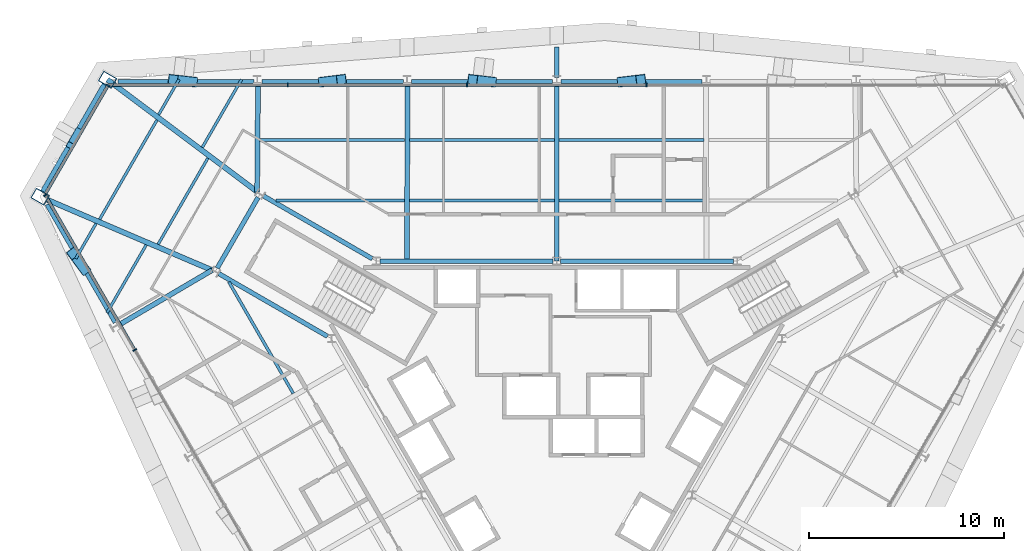
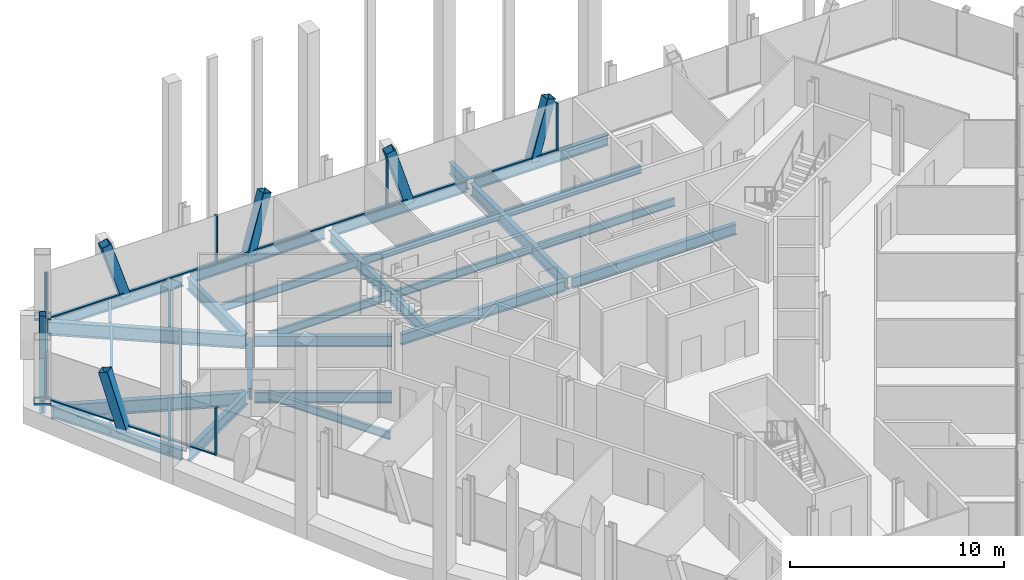
# One storey, part 5 of 13: 31 beams, 19 members, 3 elements without a shape of their own.
"""IFC4 building model written with IfcOpenShell, lengths in metres."""

from ifc_helpers import new_model, si_unit, direction, frame, origin, origin_2d, place, context, subcontext, project, spatial, rectangle, hollow_rectangle, i_section, extrude, material, material_profile, profile_set, type_object, element, aggregate, save


model = new_model("IFC4")

# Units and contexts
model_context = context("Model", 3, precision=1e-05, world=origin(), true_north=direction((0.0, 1.0)))
body_context = subcontext(model_context, "Body", "Model", "MODEL_VIEW")
ifc_project = project(units=[si_unit("LENGTHUNIT", "METRE"), si_unit("AREAUNIT", "SQUARE_METRE"), si_unit("VOLUMEUNIT", "CUBIC_METRE"), si_unit("PLANEANGLEUNIT", "RADIAN"), si_unit("MASSUNIT", "GRAM", prefix="KILO")], contexts=[model_context])

# Site, building, storey
site_placement = place(None, origin())
site = spatial("IfcSite", under=ifc_project, at=site_placement, CompositionType="ELEMENT")
building_placement = place(site_placement, origin())
building = spatial("IfcBuilding", under=site, at=building_placement, Name="Verrane Prism Tower", CompositionType="ELEMENT")
storey_placement = place(building_placement, frame((0.0, 0.0, 159.89990234375)))
storey = spatial("IfcBuildingStorey", under=building, at=storey_placement, Name="L39", CompositionType="ELEMENT", Elevation=159.89990234375)

# Member
ifc_material_1 = material(Name="Steel A500 Grade C", Category="steel")
ifc_material_profile_1 = material_profile(ifc_material_1, hollow_rectangle(XDim=0.3046875, YDim=0.3046875, WallThickness=0.0126953125, InnerFilletRadius=0.00634765625, OuterFilletRadius=0.01904296875, at=origin_2d()), Name="HSS12x12x1/2")
ifc_profile_set_1 = profile_set([ifc_material_profile_1], Name="Steel A500 Grade C")
member_type_1 = type_object("IfcMemberType", Name="Chamfer brace HSS12x12x1/2", PredefinedType="BRACE", material=ifc_profile_set_1)
member_1_placement = place(storey_placement, frame((-24.572509765625, 14.66552734375, -0.242431640625), z_axis=(-0.128989962567, -0.224139029072, 0.965983066727), x_axis=(0.866722399997, -0.498790819226, 0.0)))
element("IfcMember", 1, at=member_1_placement, inside=storey, type_object=member_type_1, Name="Chamfer brace NW0 L39", PredefinedType="BRACE", context=body_context, shape_type="SweptSolid", body=[
    extrude(hollow_rectangle(XDim=0.3046875, YDim=0.3046875, WallThickness=0.0126953125, InnerFilletRadius=0.00634765625, OuterFilletRadius=0.01904296875, at=origin_2d()), origin(), (0.0, 0.0, 1.0), 3.217529296875),
])

# Beams
ifc_material_2 = material(Name="Steel A992", Category="steel")
ifc_material_profile_2 = material_profile(ifc_material_2, i_section(OverallWidth=0.2666015625, OverallDepth=0.7568359375, WebThickness=0.013916015625, FlangeThickness=0.019287109375, FilletRadius=0.0166015625, at=origin_2d()), Name="W30x108")
ifc_profile_set_2 = profile_set([ifc_material_profile_2], Name="Steel A992")
beam_type_1 = type_object("IfcBeamType", Name="Chamfer spandrel beam W30x108", PredefinedType="SPANDREL", material=ifc_profile_set_2)
beam_1_placement = place(storey_placement, frame((-23.19970703125, 17.050048828125, -0.538330078125), z_axis=(-0.498933745764, -0.866640131391, 0.0), x_axis=(0.866640131391, -0.498933745764, 0.0)))
element("IfcBeam", 2, at=beam_1_placement, inside=storey, type_object=beam_type_1, Name="Chamfer spandrel beam L39", PredefinedType="SPANDREL", context=body_context, shape_type="SweptSolid", body=[
    extrude(i_section(OverallWidth=0.2666015625, OverallDepth=0.7568359375, WebThickness=0.013916015625, FlangeThickness=0.019287109375, FilletRadius=0.0166015625, at=origin_2d()), origin(), (0.0, 0.0, 1.0), 6.334716796875),
])
ifc_material_3 = material(Name="Steel A992", Category="steel")
ifc_material_profile_3 = material_profile(ifc_material_3, i_section(OverallWidth=0.23046875, OverallDepth=0.6171875, WebThickness=0.01318359375, FlangeThickness=0.022216796875, FilletRadius=0.012939453125, at=origin_2d()), Name="W24x94")
ifc_profile_set_3 = profile_set([ifc_material_profile_3], Name="Steel A992")
beam_type_2 = type_object("IfcBeamType", Name="Core ring girder W24x94", PredefinedType="BEAM", material=ifc_profile_set_3)
for number, where, z_axis, x_axis, name in (
    (3, (9.059326171875, 8.0, -0.55859375), (-1.0, 0.0, 0.0), (0.0, -1.0, 0.0), "Core ring girder L39"),
    (4, (-0.20068359375, 8.0, -0.55859375), (-1.0, 0.0, 0.0), (0.0, -1.0, 0.0), "Core ring girder L39"),
):
    element("IfcBeam", number, at=place(storey_placement, frame(where, z_axis=z_axis, x_axis=x_axis)), inside=storey, type_object=beam_type_2, Name=name, PredefinedType="BEAM", context=body_context, shape_type="SweptSolid", body=[
        extrude(i_section(OverallWidth=0.23046875, OverallDepth=0.6171875, WebThickness=0.01318359375, FlangeThickness=0.022216796875, FilletRadius=0.012939453125, at=origin_2d()), origin(), (0.0, 0.0, 1.0), 8.858642578125),
    ])
beam_2_placement = place(storey_placement, frame((-9.460693359375, 8.11572265625, -0.55859375), z_axis=(-0.866075143088, 0.499913839102, 0.0), x_axis=(-0.499913839102, -0.866075143088, 0.0)))
element("IfcBeam", 5, at=beam_2_placement, inside=storey, type_object=beam_type_2, Name="Core ring girder L39", PredefinedType="BEAM", context=body_context, shape_type="SweptSolid", body=[
    extrude(i_section(OverallWidth=0.23046875, OverallDepth=0.6171875, WebThickness=0.01318359375, FlangeThickness=0.022216796875, FilletRadius=0.012939453125, at=origin_2d()), origin(), (0.0, 0.0, 1.0), 6.441650390625),
])
beam_3_placement = place(storey_placement, frame((-15.32177734375, 11.26416015625, -0.55859375), z_axis=(-0.500305747711, -0.865848808284, 0.0), x_axis=(0.865848808284, -0.500305747711, 0.0)))
element("IfcBeam", 6, at=beam_3_placement, inside=storey, type_object=beam_type_2, Name="Core ring girder L39", PredefinedType="BEAM", context=body_context, shape_type="SweptSolid", body=[
    extrude(i_section(OverallWidth=0.23046875, OverallDepth=0.6171875, WebThickness=0.01318359375, FlangeThickness=0.022216796875, FilletRadius=0.012939453125, at=origin_2d()), origin(), (0.0, 0.0, 1.0), 4.1904296875),
])
beam_4_placement = place(storey_placement, frame((-17.339599609375, 7.35595703125, -0.55859375), z_axis=(0.866075143088, -0.499913839102, 0.0), x_axis=(0.499913839102, 0.866075143088, 0.0)))
element("IfcBeam", 7, at=beam_4_placement, inside=storey, type_object=beam_type_2, Name="Core ring girder L39", PredefinedType="BEAM", context=body_context, shape_type="SweptSolid", body=[
    extrude(i_section(OverallWidth=0.23046875, OverallDepth=0.6171875, WebThickness=0.01318359375, FlangeThickness=0.022216796875, FilletRadius=0.012939453125, at=origin_2d()), origin(), (0.0, 0.0, 1.0), 6.441650390625),
])
ifc_material_4 = material(Name="Steel A992", Category="steel")
ifc_material_profile_4 = material_profile(ifc_material_4, i_section(OverallWidth=0.2666015625, OverallDepth=0.76708984375, WebThickness=0.014892578125, FlangeThickness=0.023681640625, FilletRadius=0.0166015625, at=origin_2d()), Name="W30x124")
ifc_profile_set_4 = profile_set([ifc_material_profile_4], Name="Steel A992")
beam_type_3 = type_object("IfcBeamType", Name="Corner girder W30x124", PredefinedType="BEAM", material=ifc_profile_set_4)
beam_5_placement = place(storey_placement, frame((-23.048583984375, 17.308837890625, -0.603515625), z_axis=(0.800128499961, -0.599828628485, 0.0), x_axis=(0.599828628485, 0.800128499961, 0.0)))
element("IfcBeam", 8, at=beam_5_placement, inside=storey, type_object=beam_type_3, Name="Corner girder L39", PredefinedType="BEAM", context=body_context, shape_type="SweptSolid", body=[
    extrude(i_section(OverallWidth=0.2666015625, OverallDepth=0.76708984375, WebThickness=0.014892578125, FlangeThickness=0.023681640625, FilletRadius=0.0166015625, at=origin_2d()), origin(), (0.0, 0.0, 1.0), 9.57421875),
])
beam_6_placement = place(storey_placement, frame((-26.139404296875, 11.1416015625, -0.603515625), z_axis=(0.919628068882, -0.392790293827, 0.0), x_axis=(0.392790293827, 0.919628068882, 0.0)))
element("IfcBeam", 9, at=beam_6_placement, inside=storey, type_object=beam_type_3, Name="Corner girder L39", PredefinedType="BEAM", context=body_context, shape_type="SweptSolid", body=[
    extrude(i_section(OverallWidth=0.2666015625, OverallDepth=0.76708984375, WebThickness=0.014892578125, FlangeThickness=0.023681640625, FilletRadius=0.0166015625, at=origin_2d()), origin(), (0.0, 0.0, 1.0), 9.162841796875),
])

# Members
ifc_material_5 = material(Name="Steel A500 Grade C", Category="steel")
ifc_material_profile_5 = material_profile(ifc_material_5, hollow_rectangle(XDim=0.508056640625, YDim=0.508056640625, WallThickness=0.01904296875, InnerFilletRadius=0.009521484375, OuterFilletRadius=0.028564453125, at=origin_2d()), Name="HSS20x20x3/4")
ifc_profile_set_5 = profile_set([ifc_material_profile_5], Name="Steel A500 Grade C")
member_type_2 = type_object("IfcMemberType", Name="Facade brace HSS20x20x3/4", PredefinedType="BRACE", material=ifc_profile_set_5)
for number, where, z_axis, x_axis, name in (
    (10, (3.357666015625, 17.194580078125, -0.216552734375), (0.286283256458, 0.034596826853, 0.957520212133), (-0.1199753349, 0.992776872724, 0.0), "Facade brace N2 L39"),
    (11, (-3.357666015625, 17.194580078125, -0.216552734375), (-0.286283256458, 0.034596826853, 0.957520212133), (-0.1199753349, -0.992776872724, 0.0), "Facade brace N3 L39"),
):
    element("IfcMember", number, at=place(storey_placement, frame(where, z_axis=z_axis, x_axis=x_axis)), inside=storey, type_object=member_type_2, Name=name, PredefinedType="BRACE", context=body_context, shape_type="SweptSolid", body=[
        extrude(hollow_rectangle(XDim=0.508056640625, YDim=0.508056640625, WallThickness=0.01904296875, InnerFilletRadius=0.009521484375, OuterFilletRadius=0.028564453125, at=origin_2d()), origin(), (0.0, 0.0, 1.0), 3.337890625),
    ])
member_2_placement = place(storey_placement, frame((-11.96728515625, 17.194580078125, -0.216552734375), z_axis=(0.27623163158, 0.034703203649, 0.960464352993), x_axis=(-0.124650971775, 0.992200652709, 0.0)))
element("IfcMember", 12, at=member_2_placement, inside=storey, type_object=member_type_2, Name="Facade brace N4 L39", PredefinedType="BRACE", context=body_context, shape_type="SweptSolid", body=[
    extrude(hollow_rectangle(XDim=0.508056640625, YDim=0.508056640625, WallThickness=0.01904296875, InnerFilletRadius=0.009521484375, OuterFilletRadius=0.028564453125, at=origin_2d()), origin(), (0.0, 0.0, 1.0), 3.32763671875),
])
member_3_placement = place(storey_placement, frame((-18.685302734375, 17.194580078125, -0.216552734375), z_axis=(-0.297039092557, 0.034478402645, 0.954242640655), x_axis=(-0.115299498377, -0.993330773546, 0.0)))
element("IfcMember", 13, at=member_3_placement, inside=storey, type_object=member_type_2, Name="Facade brace N5 L39", PredefinedType="BRACE", context=body_context, shape_type="SweptSolid", body=[
    extrude(hollow_rectangle(XDim=0.508056640625, YDim=0.508056640625, WallThickness=0.01904296875, InnerFilletRadius=0.009521484375, OuterFilletRadius=0.028564453125, at=origin_2d()), origin(), (0.0, 0.0, 1.0), 3.349365234375),
])
member_4_placement = place(storey_placement, frame((-24.228515625, 7.5791015625, -0.216552734375), z_axis=(-0.178168880312, 0.239769822973, 0.954340757843), x_axis=(-0.802657057238, -0.596440817236, 0.0)))
element("IfcMember", 14, at=member_4_placement, inside=storey, type_object=member_type_2, Name="Facade brace SW0 L39", PredefinedType="BRACE", context=body_context, shape_type="SweptSolid", body=[
    extrude(hollow_rectangle(XDim=0.508056640625, YDim=0.508056640625, WallThickness=0.01904296875, InnerFilletRadius=0.009521484375, OuterFilletRadius=0.028564453125, at=origin_2d()), origin(), (0.0, 0.0, 1.0), 3.348876953125),
])

# Beams
ifc_material_6 = material(Name="Steel A992", Category="steel")
ifc_material_profile_6 = material_profile(ifc_material_6, i_section(OverallWidth=0.140380859375, OverallDepth=0.40380859375, WebThickness=0.007080078125, FlangeThickness=0.01123046875, FilletRadius=0.01025390625, at=origin_2d()), Name="W16x31")
ifc_profile_set_6 = profile_set([ifc_material_profile_6], Name="Steel A992")
beam_type_4 = type_object("IfcBeamType", Name="Floor beam W16x31", PredefinedType="BEAM", material=ifc_profile_set_6)
beam_7_placement = place(storey_placement, frame((-18.18505859375, 13.828125, -0.36181640625), z_axis=(0.499992278798, 0.866029861576, 0.0), x_axis=(-0.866029861576, 0.499992278798, 0.0)))
element("IfcBeam", 15, at=beam_7_placement, inside=storey, type_object=beam_type_4, Name="Floor beam L39", PredefinedType="BEAM", context=body_context, shape_type="SweptSolid", body=[
    extrude(i_section(OverallWidth=0.140380859375, OverallDepth=0.40380859375, WebThickness=0.007080078125, FlangeThickness=0.01123046875, FilletRadius=0.01025390625, at=origin_2d()), origin(), (0.0, 0.0, 1.0), 4.0205078125),
])
beam_8_placement = place(storey_placement, frame((-20.4228515625, 15.50634765625, -0.36181640625), z_axis=(0.499959224157, 0.866048944448, 0.0), x_axis=(-0.866048944448, 0.499959224157, 0.0)))
element("IfcBeam", 16, at=beam_8_placement, inside=storey, type_object=beam_type_4, Name="Floor beam L39", PredefinedType="BEAM", context=body_context, shape_type="SweptSolid", body=[
    extrude(i_section(OverallWidth=0.140380859375, OverallDepth=0.40380859375, WebThickness=0.007080078125, FlangeThickness=0.01123046875, FilletRadius=0.01025390625, at=origin_2d()), origin(), (0.0, 0.0, 1.0), 2.082763671875),
])
beam_9_placement = place(storey_placement, frame((-23.07177734375, 5.345703125, -0.36181640625), z_axis=(0.500004480819, 0.866022816767, 0.0), x_axis=(-0.866022816767, 0.500004480819, 0.0)))
element("IfcBeam", 17, at=beam_9_placement, inside=storey, type_object=beam_type_4, Name="Floor beam L39", PredefinedType="BEAM", context=body_context, shape_type="SweptSolid", body=[
    extrude(i_section(OverallWidth=0.140380859375, OverallDepth=0.40380859375, WebThickness=0.007080078125, FlangeThickness=0.01123046875, FilletRadius=0.01025390625, at=origin_2d()), origin(), (0.0, 0.0, 1.0), 4.021484375),
])
beam_10_placement = place(storey_placement, frame((-24.67529296875, 8.122802734375, -0.36181640625), z_axis=(0.499945637019, 0.866056787991, 0.0), x_axis=(-0.866056787991, 0.499945637019, 0.0)))
element("IfcBeam", 18, at=beam_10_placement, inside=storey, type_object=beam_type_4, Name="Floor beam L39", PredefinedType="BEAM", context=body_context, shape_type="SweptSolid", body=[
    extrude(i_section(OverallWidth=0.140380859375, OverallDepth=0.40380859375, WebThickness=0.007080078125, FlangeThickness=0.01123046875, FilletRadius=0.01025390625, at=origin_2d()), origin(), (0.0, 0.0, 1.0), 2.083251953125),
])
beam_11_placement = place(storey_placement, frame((-20.450439453125, 8.85791015625, -0.36181640625), z_axis=(0.499991534382, 0.866030291356, 0.0), x_axis=(-0.866030291356, 0.499991534382, 0.0)))
element("IfcBeam", 19, at=beam_11_placement, inside=storey, type_object=beam_type_4, Name="Floor beam L39", PredefinedType="BEAM", context=body_context, shape_type="SweptSolid", body=[
    extrude(i_section(OverallWidth=0.140380859375, OverallDepth=0.40380859375, WebThickness=0.007080078125, FlangeThickness=0.01123046875, FilletRadius=0.01025390625, at=origin_2d()), origin(), (0.0, 0.0, 1.0), 5.10498046875),
])
beam_12_placement = place(storey_placement, frame((-23.450439453125, 10.138916015625, -0.36181640625), z_axis=(0.499984561422, 0.866034317068, 0.0), x_axis=(-0.866034317068, 0.499984561422, 0.0)))
element("IfcBeam", 20, at=beam_12_placement, inside=storey, type_object=beam_type_4, Name="Floor beam L39", PredefinedType="BEAM", context=body_context, shape_type="SweptSolid", body=[
    extrude(i_section(OverallWidth=0.140380859375, OverallDepth=0.40380859375, WebThickness=0.007080078125, FlangeThickness=0.01123046875, FilletRadius=0.01025390625, at=origin_2d()), origin(), (0.0, 0.0, 1.0), 5.885986328125),
])
ifc_material_7 = material(Name="Steel A992", Category="steel")
ifc_material_profile_7 = material_profile(ifc_material_7, i_section(OverallWidth=0.15234375, OverallDepth=0.449462890625, WebThickness=0.007568359375, FlangeThickness=0.0107421875, FilletRadius=0.01025390625, at=origin_2d()), Name="W18x35")
ifc_profile_set_7 = profile_set([ifc_material_profile_7], Name="Steel A992")
beam_type_5 = type_object("IfcBeamType", Name="Floor beam W18x35", PredefinedType="BEAM", material=ifc_profile_set_7)
for number, where, z_axis, x_axis, name in (
    (21, (0.126953125, 11.103271484375, -0.384765625), (1.0, 0.0, 0.0), (0.0, 1.0, 0.0), "Floor beam L39"),
    (22, (0.126953125, 14.206787109375, -0.384765625), (1.0, 0.0, 0.0), (0.0, 1.0, 0.0), "Floor beam L39"),
    (23, (-7.552978515625, 11.103271484375, -0.384765625), (1.0, 0.0, 0.0), (0.0, 1.0, 0.0), "Floor beam L39"),
    (24, (-7.552978515625, 14.206787109375, -0.384765625), (1.0, 0.0, 0.0), (0.0, 1.0, 0.0), "Floor beam L39"),
):
    element("IfcBeam", number, at=place(storey_placement, frame(where, z_axis=z_axis, x_axis=x_axis)), inside=storey, type_object=beam_type_5, Name=name, PredefinedType="BEAM", context=body_context, shape_type="SweptSolid", body=[
        extrude(i_section(OverallWidth=0.15234375, OverallDepth=0.449462890625, WebThickness=0.007568359375, FlangeThickness=0.0107421875, FilletRadius=0.01025390625, at=origin_2d()), origin(), (0.0, 0.0, 1.0), 7.426025390625),
    ])
beam_13_placement = place(storey_placement, frame((-14.40673828125, 11.103271484375, -0.384765625), z_axis=(1.0, 0.0, 0.0), x_axis=(0.0, 1.0, 0.0)))
element("IfcBeam", 25, at=beam_13_placement, inside=storey, type_object=beam_type_5, Name="Floor beam L39", PredefinedType="BEAM", context=body_context, shape_type="SweptSolid", body=[
    extrude(i_section(OverallWidth=0.15234375, OverallDepth=0.449462890625, WebThickness=0.007568359375, FlangeThickness=0.0107421875, FilletRadius=0.01025390625, at=origin_2d()), origin(), (0.0, 0.0, 1.0), 6.599853515625),
])
beam_14_placement = place(storey_placement, frame((-15.242919921875, 14.206787109375, -0.384765625), z_axis=(1.0, 0.0, 0.0), x_axis=(0.0, 1.0, 0.0)))
element("IfcBeam", 26, at=beam_14_placement, inside=storey, type_object=beam_type_5, Name="Floor beam L39", PredefinedType="BEAM", context=body_context, shape_type="SweptSolid", body=[
    extrude(i_section(OverallWidth=0.15234375, OverallDepth=0.449462890625, WebThickness=0.007568359375, FlangeThickness=0.0107421875, FilletRadius=0.01025390625, at=origin_2d()), origin(), (0.0, 0.0, 1.0), 7.43603515625),
])
beam_15_placement = place(storey_placement, frame((-13.519775390625, 1.210205078125, -0.384765625), z_axis=(-0.500012988063, 0.866017904993, 0.0), x_axis=(-0.866017904993, -0.500012988063, 0.0)))
element("IfcBeam", 27, at=beam_15_placement, inside=storey, type_object=beam_type_5, Name="Floor beam L39", PredefinedType="BEAM", context=body_context, shape_type="SweptSolid", body=[
    extrude(i_section(OverallWidth=0.15234375, OverallDepth=0.449462890625, WebThickness=0.007568359375, FlangeThickness=0.0107421875, FilletRadius=0.01025390625, at=origin_2d()), origin(), (0.0, 0.0, 1.0), 6.594970703125),
])

# Members
ifc_material_8 = material(Name="Steel A572 Grade 50", Category="steel")
ifc_material_profile_8 = material_profile(ifc_material_8, hollow_rectangle(XDim=0.60009765625, YDim=0.800048828125, WallThickness=0.050048828125, at=origin_2d()), Name="BOX 800x600x50")
ifc_profile_set_8 = profile_set([ifc_material_profile_8], Name="Steel A572 Grade 50")
member_type_3 = type_object("IfcMemberType", Name="Kink node BOX 800x600x50", PredefinedType="COLLAR", material=ifc_profile_set_8)
for number, where, z_axis, x_axis, name in (
    (28, (-23.04638671875, 17.3037109375, -0.06494140625), (0.0, 0.0, 1.0), (0.5, 0.866025403784, 0.0), "Kink node MC4 L39"),
    (29, (-26.5029296875, 11.300048828125, -0.06494140625), (0.0, 0.0, 1.0), (0.5, 0.866025403784, 0.0), "Kink node MC4 L39"),
):
    element("IfcMember", number, at=place(storey_placement, frame(where, z_axis=z_axis, x_axis=x_axis)), inside=storey, type_object=member_type_3, Name=name, PredefinedType="COLLAR", context=body_context, shape_type="SweptSolid", body=[
        extrude(hollow_rectangle(XDim=0.60009765625, YDim=0.800048828125, WallThickness=0.050048828125, at=origin_2d()), origin(), (0.0, 0.0, 1.0), 0.130126953125),
    ])

# Curtain wall, members
ifc_material_9 = material(Name="Aluminium framed insulated glazing", Category="aluminium")
curtain_wall_type = type_object("IfcCurtainWallType", Name="Curtain wall CW-A 8400 module", PredefinedType="NOTDEFINED", material=ifc_material_9)
curtain_wall_1_placement = place(storey_placement, origin())
curtain_wall_1 = element("IfcCurtainWall", 30, at=curtain_wall_1_placement, inside=storey, type_object=curtain_wall_type, Name="Glazed curtain wall north face L39", PredefinedType="NOTDEFINED")
ifc_material_10 = material(Name="Aluminium alloy 6063-T6", Category="aluminium")
ifc_material_profile_9 = material_profile(ifc_material_10, rectangle(XDim=0.199951171875, YDim=0.070068359375, at=origin_2d()), Name="Mullion 70x200 aluminium")
ifc_profile_set_9 = profile_set([ifc_material_profile_9], Name="Aluminium alloy 6063-T6")
member_type_4 = type_object("IfcMemberType", Name="Mullion 70x200 aluminium", PredefinedType="MULLION", material=ifc_profile_set_9)
member_5_placement = place(storey_placement, frame((4.600830078125, 17.031005859375, 0.0), z_axis=(0.0, 0.0, 1.0), x_axis=(0.0, -1.0, 0.0)))
member_5 = element("IfcMember", 31, at=member_5_placement, type_object=member_type_4, Name="CW39.2 mullion 3", PredefinedType="MULLION", context=body_context, shape_type="SweptSolid", body=[
    extrude(rectangle(XDim=0.199951171875, YDim=0.070068359375, at=origin_2d()), origin(), (0.0, 0.0, 1.0), 2.712890625),
])
member_6_placement = place(storey_placement, frame((-4.600830078125, 17.031005859375, 0.0), z_axis=(0.0, 0.0, 1.0), x_axis=(0.0, -1.0, 0.0)))
member_6 = element("IfcMember", 32, at=member_6_placement, type_object=member_type_4, Name="CW39.2 mullion 4", PredefinedType="MULLION", context=body_context, shape_type="SweptSolid", body=[
    extrude(rectangle(XDim=0.199951171875, YDim=0.070068359375, at=origin_2d()), origin(), (0.0, 0.0, 1.0), 2.712890625),
])
member_7_placement = place(storey_placement, frame((-13.802490234375, 17.031005859375, 0.0), z_axis=(0.0, 0.0, 1.0), x_axis=(0.0, -1.0, 0.0)))
member_7 = element("IfcMember", 33, at=member_7_placement, type_object=member_type_4, Name="CW39.2 mullion 5", PredefinedType="MULLION", context=body_context, shape_type="SweptSolid", body=[
    extrude(rectangle(XDim=0.199951171875, YDim=0.070068359375, at=origin_2d()), origin(), (0.0, 0.0, 1.0), 2.712890625),
])

# Curtain wall, member
curtain_wall_2_placement = place(storey_placement, origin())
curtain_wall_2 = element("IfcCurtainWall", 34, at=curtain_wall_2_placement, inside=storey, type_object=curtain_wall_type, Name="Glazed curtain wall north-west corner L39", PredefinedType="NOTDEFINED")
member_8_placement = place(storey_placement, frame((-23.021484375, 17.000732421875, 0.0), z_axis=(0.0, 0.0, 1.0), x_axis=(0.866021993679, -0.50000590643, 0.0)))
member_8 = element("IfcMember", 35, at=member_8_placement, type_object=member_type_4, Name="CW39.3 mullion 1", PredefinedType="MULLION", context=body_context, shape_type="SweptSolid", body=[
    extrude(rectangle(XDim=0.199951171875, YDim=0.070068359375, at=origin_2d()), origin(), (0.0, 0.0, 1.0), 2.712890625),
])

# Curtain wall, members
curtain_wall_3_placement = place(storey_placement, origin())
curtain_wall_3 = element("IfcCurtainWall", 36, at=curtain_wall_3_placement, inside=storey, type_object=curtain_wall_type, Name="Glazed curtain wall south-west face L39", PredefinedType="NOTDEFINED")
member_9_placement = place(storey_placement, frame((-26.23388671875, 11.376220703125, 0.0), z_axis=(0.0, 0.0, 1.0), x_axis=(0.86602596468, 0.499999028499, 0.0)))
member_9 = element("IfcMember", 37, at=member_9_placement, type_object=member_type_4, Name="CW39.4 mullion 1", PredefinedType="MULLION", context=body_context, shape_type="SweptSolid", body=[
    extrude(rectangle(XDim=0.199951171875, YDim=0.070068359375, at=origin_2d()), origin(), (0.0, 0.0, 1.0), 2.712890625),
])
member_10_placement = place(storey_placement, frame((-21.650390625, 3.437744140625, 0.0), z_axis=(0.0, 0.0, 1.0), x_axis=(0.86602596468, 0.499999028499, 0.0)))
member_10 = element("IfcMember", 38, at=member_10_placement, type_object=member_type_4, Name="CW39.4 mullion 2", PredefinedType="MULLION", context=body_context, shape_type="SweptSolid", body=[
    extrude(rectangle(XDim=0.199951171875, YDim=0.070068359375, at=origin_2d()), origin(), (0.0, 0.0, 1.0), 2.712890625),
])

# Beams
ifc_material_11 = material(Name="Steel A992", Category="steel")
ifc_material_profile_10 = material_profile(ifc_material_11, i_section(OverallWidth=0.25390625, OverallDepth=0.683349609375, WebThickness=0.012451171875, FlangeThickness=0.01904296875, FilletRadius=0.01513671875, at=origin_2d()), Name="W27x94")
ifc_profile_set_10 = profile_set([ifc_material_profile_10], Name="Steel A992")
beam_type_6 = type_object("IfcBeamType", Name="Radial girder W27x94", PredefinedType="BEAM", material=ifc_profile_set_10)
for number, where, z_axis, x_axis, name in (
    (39, (0.0, 16.977294921875, -0.5615234375), (0.0, -1.0, 0.0), (1.0, 0.0, 0.0), "Radial girder L39"),
    (40, (-7.6591796875, 16.977294921875, -0.5615234375), (-0.002311598077, -0.999997328254, 0.0), (0.999997328254, -0.002311598077, 0.0), "Radial girder L39"),
):
    element("IfcBeam", number, at=place(storey_placement, frame(where, z_axis=z_axis, x_axis=x_axis)), inside=storey, type_object=beam_type_6, Name=name, PredefinedType="BEAM", context=body_context, shape_type="SweptSolid", body=[
        extrude(i_section(OverallWidth=0.25390625, OverallDepth=0.683349609375, WebThickness=0.012451171875, FlangeThickness=0.01904296875, FilletRadius=0.01513671875, at=origin_2d()), origin(), (0.0, 0.0, 1.0), 8.977294921875),
    ])
beam_16_placement = place(storey_placement, frame((-15.3271484375, 16.977294921875, -0.5615234375), z_axis=(-0.00792054362, -0.999968632002, 0.0), x_axis=(0.999968632002, -0.00792054362, 0.0)))
element("IfcBeam", 41, at=beam_16_placement, inside=storey, type_object=beam_type_6, Name="Radial girder L39", PredefinedType="BEAM", context=body_context, shape_type="SweptSolid", body=[
    extrude(i_section(OverallWidth=0.25390625, OverallDepth=0.683349609375, WebThickness=0.012451171875, FlangeThickness=0.01904296875, FilletRadius=0.01513671875, at=origin_2d()), origin(), (0.0, 0.0, 1.0), 5.425048828125),
])
beam_17_placement = place(storey_placement, frame((-22.36083984375, 4.77978515625, -0.5615234375), z_axis=(0.862106493729, 0.50672713907, 0.0), x_axis=(-0.50672713907, 0.862106493729, 0.0)))
element("IfcBeam", 42, at=beam_17_placement, inside=storey, type_object=beam_type_6, Name="Radial girder L39", PredefinedType="BEAM", context=body_context, shape_type="SweptSolid", body=[
    extrude(i_section(OverallWidth=0.25390625, OverallDepth=0.683349609375, WebThickness=0.012451171875, FlangeThickness=0.01904296875, FilletRadius=0.01513671875, at=origin_2d()), origin(), (0.0, 0.0, 1.0), 5.426513671875),
])
beam_18_placement = place(storey_placement, frame((0.0, 17.40771484375, -0.5615234375), z_axis=(0.0, 1.0, 0.0), x_axis=(-1.0, 0.0, 0.0)))
element("IfcBeam", 43, at=beam_18_placement, inside=storey, type_object=beam_type_6, Name="Cantilever girder L39", PredefinedType="BEAM", context=body_context, shape_type="SweptSolid", body=[
    extrude(i_section(OverallWidth=0.25390625, OverallDepth=0.683349609375, WebThickness=0.012451171875, FlangeThickness=0.01904296875, FilletRadius=0.01513671875, at=origin_2d()), origin(), (0.0, 0.0, 1.0), 1.57421875),
])
ifc_material_12 = material(Name="Steel A992", Category="steel")
ifc_material_profile_11 = material_profile(ifc_material_12, i_section(OverallWidth=0.23046875, OverallDepth=0.6171875, WebThickness=0.01318359375, FlangeThickness=0.022216796875, FilletRadius=0.012939453125, at=origin_2d()), Name="W24x94")
ifc_profile_set_11 = profile_set([ifc_material_profile_11], Name="Steel A992")
beam_type_7 = type_object("IfcBeamType", Name="Spandrel beam W24x94", PredefinedType="SPANDREL", material=ifc_profile_set_11)
for number, where, z_axis, x_axis, name in (
    (44, (7.452880859375, 17.194580078125, -0.468505859375), (-1.0, 0.0, 0.0), (0.0, -1.0, 0.0), "Spandrel beam L39"),
    (45, (-0.205810546875, 17.194580078125, -0.468505859375), (-1.0, 0.0, 0.0), (0.0, -1.0, 0.0), "Spandrel beam L39"),
):
    element("IfcBeam", number, at=place(storey_placement, frame(where, z_axis=z_axis, x_axis=x_axis)), inside=storey, type_object=beam_type_7, Name=name, PredefinedType="SPANDREL", context=body_context, shape_type="SweptSolid", body=[
        extrude(i_section(OverallWidth=0.23046875, OverallDepth=0.6171875, WebThickness=0.01318359375, FlangeThickness=0.022216796875, FilletRadius=0.012939453125, at=origin_2d()), origin(), (0.0, 0.0, 1.0), 7.2470703125),
    ])
beam_19_placement = place(storey_placement, frame((-7.8642578125, 17.194580078125, -0.468505859375), z_axis=(-1.0, 0.0, 0.0), x_axis=(0.0, -1.0, 0.0)))
element("IfcBeam", 46, at=beam_19_placement, inside=storey, type_object=beam_type_7, Name="Spandrel beam L39", PredefinedType="SPANDREL", context=body_context, shape_type="SweptSolid", body=[
    extrude(i_section(OverallWidth=0.23046875, OverallDepth=0.6171875, WebThickness=0.01318359375, FlangeThickness=0.022216796875, FilletRadius=0.012939453125, at=origin_2d()), origin(), (0.0, 0.0, 1.0), 7.255615234375),
])
beam_20_placement = place(storey_placement, frame((-15.53125, 17.194580078125, -0.468505859375), z_axis=(-1.0, 0.0, 0.0), x_axis=(0.0, -1.0, 0.0)))
element("IfcBeam", 47, at=beam_20_placement, inside=storey, type_object=beam_type_7, Name="Spandrel beam L39", PredefinedType="SPANDREL", context=body_context, shape_type="SweptSolid", body=[
    extrude(i_section(OverallWidth=0.23046875, OverallDepth=0.6171875, WebThickness=0.01318359375, FlangeThickness=0.022216796875, FilletRadius=0.012939453125, at=origin_2d()), origin(), (0.0, 0.0, 1.0), 6.9892578125),
])
beam_21_placement = place(storey_placement, frame((-26.14697265625, 10.900146484375, -0.468505859375), z_axis=(0.500196122742, -0.865912142653, 0.0), x_axis=(0.865912142653, 0.500196122742, 0.0)))
element("IfcBeam", 48, at=beam_21_placement, inside=storey, type_object=beam_type_7, Name="Spandrel beam L39", PredefinedType="SPANDREL", context=body_context, shape_type="SweptSolid", body=[
    extrude(i_section(OverallWidth=0.23046875, OverallDepth=0.6171875, WebThickness=0.01318359375, FlangeThickness=0.022216796875, FilletRadius=0.012939453125, at=origin_2d()), origin(), (0.0, 0.0, 1.0), 6.989501953125),
])

# Member
ifc_material_13 = material(Name="Aluminium alloy 6063-T6", Category="aluminium")
ifc_material_profile_12 = material_profile(ifc_material_13, rectangle(XDim=0.14990234375, YDim=0.070068359375, at=origin_2d()), Name="Transom 70x150 aluminium")
ifc_profile_set_12 = profile_set([ifc_material_profile_12], Name="Aluminium alloy 6063-T6")
member_type_5 = type_object("IfcMemberType", Name="Transom 70x150 aluminium", PredefinedType="USERDEFINED", material=ifc_profile_set_12)
member_11_placement = place(storey_placement, frame((4.56591796875, 17.031005859375, 0.03515625), z_axis=(-1.0, 0.0, 0.0), x_axis=(0.0, -1.0, 0.0)))
member_11 = element("IfcMember", 49, at=member_11_placement, type_object=member_type_5, Name="CW39.2 transom 3", ObjectType="TRANSOM", PredefinedType="USERDEFINED", context=body_context, shape_type="SweptSolid", body=[
    extrude(rectangle(XDim=0.14990234375, YDim=0.070068359375, at=origin_2d()), origin(), (0.0, 0.0, 1.0), 9.1318359375),
])

member_12_placement = place(storey_placement, frame((-4.6357421875, 17.031005859375, 0.03515625), z_axis=(-1.0, 0.0, 0.0), x_axis=(0.0, -1.0, 0.0)))
member_12 = element("IfcMember", 50, at=member_12_placement, type_object=member_type_5, Name="CW39.2 transom 4", ObjectType="TRANSOM", PredefinedType="USERDEFINED", context=body_context, shape_type="SweptSolid", body=[
    extrude(rectangle(XDim=0.14990234375, YDim=0.070068359375, at=origin_2d()), origin(), (0.0, 0.0, 1.0), 9.131591796875),
])

member_13_placement = place(storey_placement, frame((-13.83740234375, 17.031005859375, 0.03515625), z_axis=(-1.0, 0.0, 0.0), x_axis=(0.0, -1.0, 0.0)))
member_13 = element("IfcMember", 51, at=member_13_placement, type_object=member_type_5, Name="CW39.2 transom 5", ObjectType="TRANSOM", PredefinedType="USERDEFINED", context=body_context, shape_type="SweptSolid", body=[
    extrude(rectangle(XDim=0.14990234375, YDim=0.070068359375, at=origin_2d()), origin(), (0.0, 0.0, 1.0), 9.16650390625),
])

aggregate(curtain_wall_1, [member_5, member_6, member_7, member_11, member_12, member_13])

member_14_placement = place(storey_placement, frame((-23.0390625, 16.970458984375, 0.03515625), z_axis=(-0.499976839226, -0.86603877525, 0.0), x_axis=(0.86603877525, -0.499976839226, 0.0)))
member_14 = element("IfcMember", 52, at=member_14_placement, type_object=member_type_5, Name="CW39.3 transom 1", ObjectType="TRANSOM", PredefinedType="USERDEFINED", context=body_context, shape_type="SweptSolid", body=[
    extrude(rectangle(XDim=0.14990234375, YDim=0.070068359375, at=origin_2d()), origin(), (0.0, 0.0, 1.0), 6.424560546875),
])

aggregate(curtain_wall_2, [member_8, member_14])

member_15_placement = place(storey_placement, frame((-26.21630859375, 11.345947265625, 0.03515625), z_axis=(0.500001238203, -0.866024688907, 0.0), x_axis=(0.866024688907, 0.500001238203, 0.0)))
member_15 = element("IfcMember", 53, at=member_15_placement, type_object=member_type_5, Name="CW39.4 transom 1", ObjectType="TRANSOM", PredefinedType="USERDEFINED", context=body_context, shape_type="SweptSolid", body=[
    extrude(rectangle(XDim=0.14990234375, YDim=0.070068359375, at=origin_2d()), origin(), (0.0, 0.0, 1.0), 9.0966796875),
])

aggregate(curtain_wall_3, [member_9, member_10, member_15])

save(model, "model.ifc")
